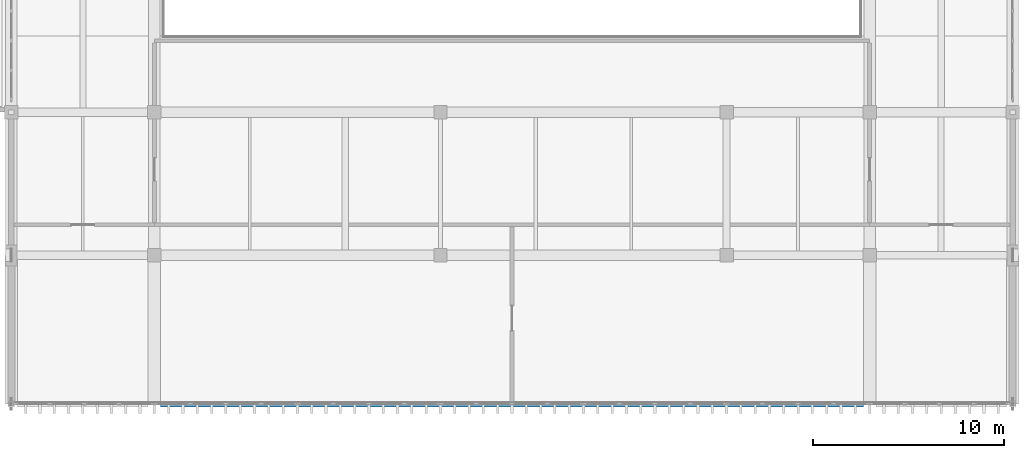
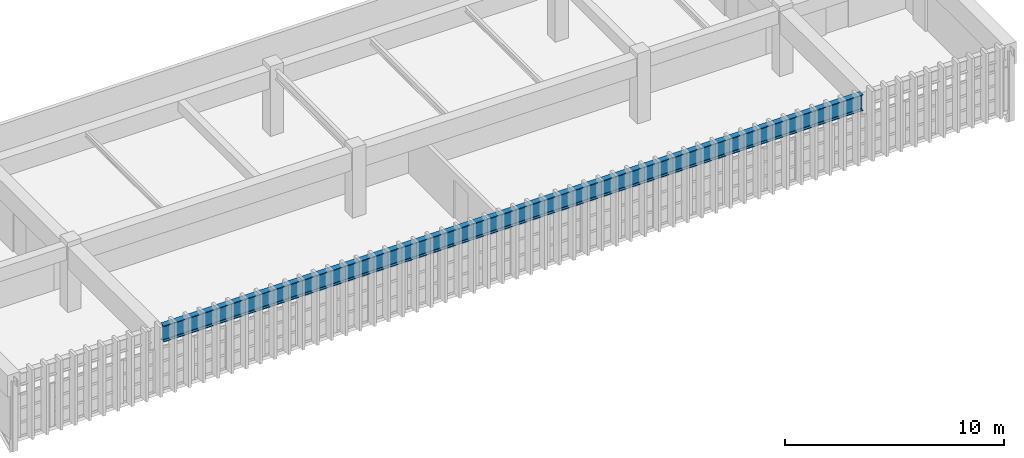
# One storey, part 26 of 82: 1 beam.
"""IFC4 building model written with IfcOpenShell, lengths in metres."""

from ifc_helpers import new_model, si_unit, direction, frame, origin, origin_2d, place, context, subcontext, project, spatial, i_section, extrude, material, material_profile, profile_set, type_object, element, save


model = new_model("IFC4")

# Units and contexts
model_context = context("Model", 3, precision=1e-05, world=origin(), true_north=direction((0.0, 1.0)))
body_context = subcontext(model_context, "Body", "Model", "MODEL_VIEW")
ifc_project = project(units=[si_unit("LENGTHUNIT", "METRE"), si_unit("AREAUNIT", "SQUARE_METRE"), si_unit("VOLUMEUNIT", "CUBIC_METRE"), si_unit("PLANEANGLEUNIT", "RADIAN"), si_unit("MASSUNIT", "GRAM", prefix="KILO")], contexts=[model_context])

# Site, building, storey
site_placement = place(None, origin())
site = spatial("IfcSite", under=ifc_project, at=site_placement, CompositionType="ELEMENT")
building_placement = place(site_placement, origin())
building = spatial("IfcBuilding", under=site, at=building_placement, Name="Qasida Concert Hall", CompositionType="ELEMENT")
storey_placement = place(building_placement, frame((0.0, 0.0, 17.10009765625)))
storey = spatial("IfcBuildingStorey", under=building, at=storey_placement, Name="L04", CompositionType="ELEMENT", Elevation=17.10009765625)

# Beam
ifc_material = material(Name="Steel S355J2", Category="steel")
ifc_material_profile = material_profile(ifc_material, i_section(OverallWidth=0.300048828125, OverallDepth=0.89990234375, WebThickness=0.0185546875, FlangeThickness=0.034912109375, FilletRadius=0.030029296875, at=origin_2d()), Name="HEB 900")
ifc_profile_set = profile_set([ifc_material_profile], Name="Steel S355J2")
beam_type = type_object("IfcBeamType", Name="BM-B9", PredefinedType="BEAM", material=ifc_profile_set)
beam_placement = place(storey_placement, frame((60.324951171875, 14.699951171875, 3.169921875), z_axis=(1.0, 0.0, 0.0), x_axis=(0.0, 1.0, 0.0)))
element("IfcBeam", 1, at=beam_placement, inside=storey, type_object=beam_type, Name="Front overhang fascia beam 027", PredefinedType="BEAM", context=body_context, shape_type="SweptSolid", body=[
    extrude(i_section(OverallWidth=0.300048828125, OverallDepth=0.89990234375, WebThickness=0.0185546875, FlangeThickness=0.034912109375, FilletRadius=0.030029296875, at=origin_2d()), origin(), (0.0, 0.0, 1.0), 36.85009765625),
])

save(model, "model.ifc")
